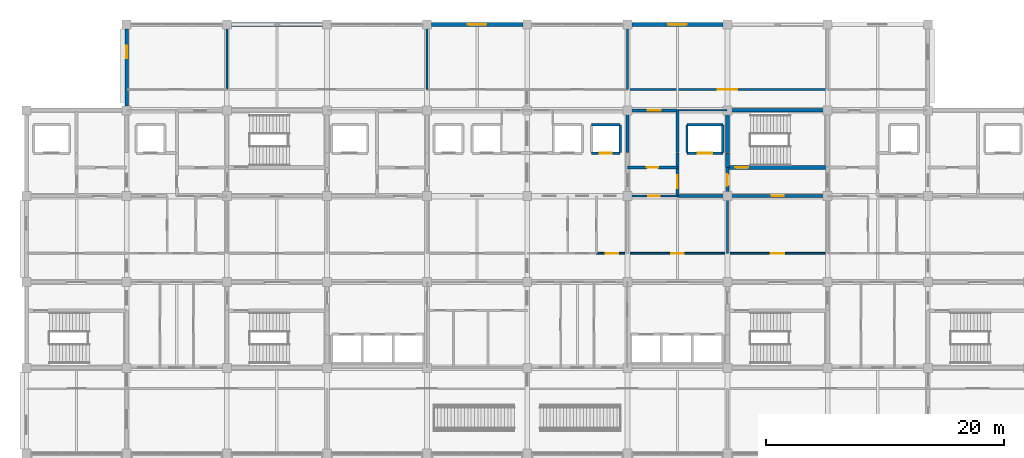
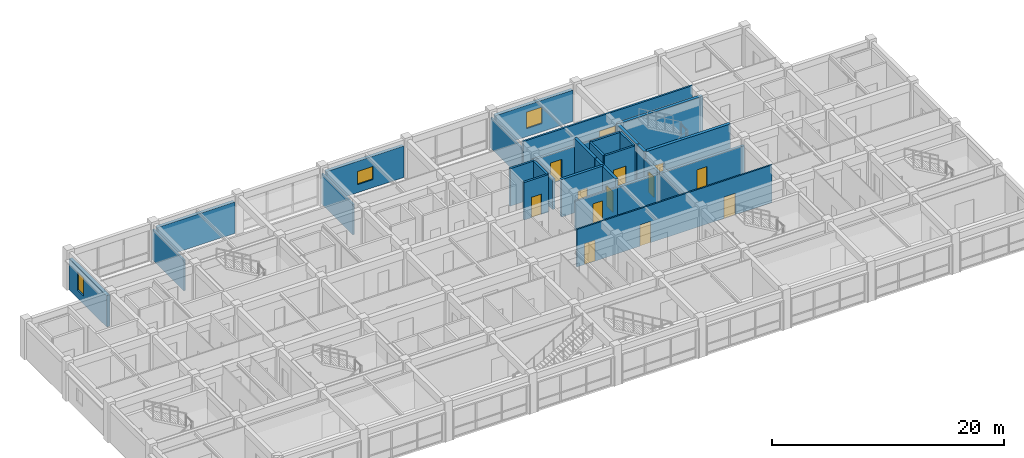
# One storey, part 20 of 27: 30 walls, 13 doors, 3 windows, 16 openings.
"""IFC4 building model written with IfcOpenShell, lengths in metres."""

from ifc_helpers import new_model, si_unit, direction, frame, frame_2d, origin, place, context, subcontext, project, spatial, rectangle, extrude, material, layer, layer_set, type_object, element, fill, save


model = new_model("IFC4")

# Units and contexts
model_context = context("Model", 3, precision=1e-05, world=origin(), true_north=direction((0.0, 1.0)))
body_context = subcontext(model_context, "Body", "Model", "MODEL_VIEW")
ifc_project = project(units=[si_unit("LENGTHUNIT", "METRE"), si_unit("AREAUNIT", "SQUARE_METRE"), si_unit("VOLUMEUNIT", "CUBIC_METRE"), si_unit("PLANEANGLEUNIT", "RADIAN"), si_unit("MASSUNIT", "GRAM", prefix="KILO")], contexts=[model_context])

# Site, building, storey
site_placement = place(None, origin())
site = spatial("IfcSite", under=ifc_project, at=site_placement, CompositionType="ELEMENT")
building_placement = place(site_placement, origin())
building = spatial("IfcBuilding", under=site, at=building_placement, Name="Chengyuan Square Courthouse", CompositionType="ELEMENT")
storey_placement = place(building_placement, frame((0.0, 0.0, 39.300048828125)))
storey = spatial("IfcBuildingStorey", under=building, at=storey_placement, Name="L09", CompositionType="ELEMENT", Elevation=39.300048828125)

# Wall, opening, window
ifc_material_1 = material(Name="Concrete C40", Category="concrete")
ifc_layer_1 = layer(ifc_material_1, 0.320068359375)
ifc_layer_set_1 = layer_set([ifc_layer_1], Name="Concrete C40")
wall_type_1 = type_object("IfcWallType", Name="WL-EW3", PredefinedType="STANDARD", material=ifc_layer_set_1)
wall_1_placement = place(storey_placement, frame((50.39990234375, 108.3701171875, 0.0), z_axis=(0.0, 0.0, 1.0), x_axis=(0.0, 1.0, 0.0)))
wall_1 = element("IfcWall", 1, at=wall_1_placement, inside=storey, type_object=wall_type_1, Name="Exterior Wall WL-L09-E417", PredefinedType="STANDARD", context=body_context, shape_type="SweptSolid", body=[
    extrude(rectangle(XDim=6.4599609375, YDim=0.320068359375, at=frame_2d((3.22998046875, 0.0))), origin(), (0.0, 0.0, 1.0), 3.300048828125),
])
opening_1_placement = place(wall_1_placement, frame((4.0048828125, 0.0, 0.85009765625)))
opening_1 = element("IfcOpeningElement", 2, at=opening_1_placement, cuts=wall_1, Name="Opening WN-162", PredefinedType="OPENING", context=body_context, shape_type="SweptSolid", body=[
    extrude(rectangle(XDim=1.050048828125, YDim=1.919921875, at=frame_2d((0.52490234375, 0.9599609375))), frame((0.0, 0.172119140625, 0.0), z_axis=(0.0, -1.0, 0.0), x_axis=(1.0, 0.0, 0.0)), (0.0, 0.0, 1.0), 0.343994140625),
])
ifc_material_2 = material(Name="Thermally Broken Aluminium Triple Low-E Window", Category="aluminium")
window_type_1 = type_object("IfcWindowType", Name="WT-11", PartitioningType="SINGLE_PANEL", PredefinedType="WINDOW", material=ifc_material_2)
window_1_placement = place(opening_1_placement, origin())
window_1 = element("IfcWindow", 3, at=window_1_placement, inside=storey, type_object=window_type_1, Name="Facade Window WN-162", OverallHeight=1.919921875, OverallWidth=1.050048828125, PartitioningType="SINGLE_PANEL", PredefinedType="WINDOW", context=body_context, shape_type="SweptSolid", body=[
    extrude(rectangle(XDim=1.050048828125, YDim=1.919921875, at=frame_2d((0.52490234375, 0.9599609375))), frame((0.0, 0.030029296875, 0.0), z_axis=(0.0, -1.0, 0.0), x_axis=(1.0, 0.0, 0.0)), (0.0, 0.0, 1.0), 0.06005859375),
])
fill(opening_1, window_1)

# Wall
wall_2_placement = place(storey_placement, frame((59.169921875, 115.199951171875, 0.0), z_axis=(0.0, 0.0, 1.0), x_axis=(1.0, 0.0, 0.0)))
element("IfcWall", 4, at=wall_2_placement, inside=storey, type_object=wall_type_1, Name="Exterior Wall WL-L09-E418", PredefinedType="STANDARD", context=body_context, shape_type="SweptSolid", body=[
    extrude(rectangle(XDim=7.66015625, YDim=0.320068359375, at=frame_2d((3.830078125, 0.0))), origin(), (0.0, 0.0, 1.0), 3.300048828125),
])

# Wall, opening, window
wall_3_placement = place(storey_placement, frame((75.969970703125, 115.199951171875, 0.0), z_axis=(0.0, 0.0, 1.0), x_axis=(1.0, 0.0, 0.0)))
wall_3 = element("IfcWall", 5, at=wall_3_placement, inside=storey, type_object=wall_type_1, Name="Exterior Wall WL-L09-E419", PredefinedType="STANDARD", context=body_context, shape_type="SweptSolid", body=[
    extrude(rectangle(XDim=7.659912109375, YDim=0.320068359375, at=frame_2d((3.830078125, 0.0))), origin(), (0.0, 0.0, 1.0), 3.300048828125),
])
opening_2_placement = place(wall_3_placement, frame((3.054931640625, 0.0, 0.85009765625)))
opening_2 = element("IfcOpeningElement", 6, at=opening_2_placement, cuts=wall_3, Name="Opening WN-163", PredefinedType="OPENING", context=body_context, shape_type="SweptSolid", body=[
    extrude(rectangle(XDim=1.550048828125, YDim=1.3798828125, at=frame_2d((0.77490234375, 0.68994140625))), frame((0.0, 0.172119140625, 0.0), z_axis=(0.0, -1.0, 0.0), x_axis=(1.0, 0.0, 0.0)), (0.0, 0.0, 1.0), 0.343994140625),
])
window_type_2 = type_object("IfcWindowType", Name="WT-26", PartitioningType="SINGLE_PANEL", PredefinedType="WINDOW", material=ifc_material_2)
window_2_placement = place(opening_2_placement, origin())
window_2 = element("IfcWindow", 7, at=window_2_placement, inside=storey, type_object=window_type_2, Name="Facade Window WN-163", OverallHeight=1.3798828125, OverallWidth=1.550048828125, PartitioningType="SINGLE_PANEL", PredefinedType="WINDOW", context=body_context, shape_type="SweptSolid", body=[
    extrude(rectangle(XDim=1.550048828125, YDim=1.3798828125, at=frame_2d((0.77490234375, 0.68994140625))), frame((0.0, 0.030029296875, 0.0), z_axis=(0.0, -1.0, 0.0), x_axis=(1.0, 0.0, 0.0)), (0.0, 0.0, 1.0), 0.06005859375),
])
fill(opening_2, window_2)

wall_4_placement = place(storey_placement, frame((92.77001953125, 115.199951171875, 0.0), z_axis=(0.0, 0.0, 1.0), x_axis=(1.0, 0.0, 0.0)))
wall_4 = element("IfcWall", 8, at=wall_4_placement, inside=storey, type_object=wall_type_1, Name="Exterior Wall WL-L09-E420", PredefinedType="STANDARD", context=body_context, shape_type="SweptSolid", body=[
    extrude(rectangle(XDim=7.659912109375, YDim=0.320068359375, at=frame_2d((3.830078125, 0.0))), origin(), (0.0, 0.0, 1.0), 3.300048828125),
])
opening_3_placement = place(wall_4_placement, frame((3.054931640625, 0.0, 0.85009765625)))
opening_3 = element("IfcOpeningElement", 9, at=opening_3_placement, cuts=wall_4, Name="Opening WN-164", PredefinedType="OPENING", context=body_context, shape_type="SweptSolid", body=[
    extrude(rectangle(XDim=1.550048828125, YDim=1.739990234375, at=frame_2d((0.77490234375, 0.8701171875))), frame((0.0, 0.172119140625, 0.0), z_axis=(0.0, -1.0, 0.0), x_axis=(1.0, 0.0, 0.0)), (0.0, 0.0, 1.0), 0.343994140625),
])
window_type_3 = type_object("IfcWindowType", Name="WT-28", PartitioningType="SINGLE_PANEL", PredefinedType="WINDOW", material=ifc_material_2)
window_3_placement = place(opening_3_placement, origin())
window_3 = element("IfcWindow", 10, at=window_3_placement, inside=storey, type_object=window_type_3, Name="Facade Window WN-164", OverallHeight=1.739990234375, OverallWidth=1.550048828125, PartitioningType="SINGLE_PANEL", PredefinedType="WINDOW", context=body_context, shape_type="SweptSolid", body=[
    extrude(rectangle(XDim=1.550048828125, YDim=1.739990234375, at=frame_2d((0.77490234375, 0.8701171875))), frame((0.0, 0.030029296875, 0.0), z_axis=(0.0, -1.0, 0.0), x_axis=(1.0, 0.0, 0.0)), (0.0, 0.0, 1.0), 0.06005859375),
])
fill(opening_3, window_3)

# Wall, opening, door
ifc_layer_2 = layer(ifc_material_1, 0.25)
ifc_layer_set_2 = layer_set([ifc_layer_2], Name="Concrete C40")
wall_type_2 = type_object("IfcWallType", Name="WL-FW1", PredefinedType="STANDARD", material=ifc_layer_set_2)
wall_5_placement = place(storey_placement, frame((96.60009765625, 100.800048828125, 0.0), z_axis=(0.0, 0.0, 1.0), x_axis=(1.0, 0.0, 0.0)))
wall_5 = element("IfcWall", 11, at=wall_5_placement, inside=storey, type_object=wall_type_2, Name="Interior Wall WL-L09-I3135", PredefinedType="STANDARD", context=body_context, shape_type="SweptSolid", body=[
    extrude(rectangle(XDim=12.599853515625, YDim=0.25, at=frame_2d((6.2998046875, 0.0))), origin(), (0.0, 0.0, 1.0), 3.099853515625),
])
opening_4_placement = place(wall_5_placement, frame((7.89990234375, 0.0, 0.0)))
opening_4 = element("IfcOpeningElement", 12, at=opening_4_placement, cuts=wall_5, Name="Opening DR-2644", PredefinedType="OPENING", context=body_context, shape_type="SweptSolid", body=[
    extrude(rectangle(XDim=1.0, YDim=2.199951171875, at=frame_2d((0.5, 1.10009765625))), frame((0.0, 0.136962890625, 0.0), z_axis=(0.0, -1.0, 0.0), x_axis=(1.0, 0.0, 0.0)), (0.0, 0.0, 1.0), 0.27392578125),
])
ifc_material_3 = material(Name="Steel Q235B Fire Door", Category="steel")
door_type_1 = type_object("IfcDoorType", Name="DT-11", OperationType="NOTDEFINED", PredefinedType="DOOR", material=ifc_material_3)
door_1_placement = place(opening_4_placement, origin())
door_1 = element("IfcDoor", 13, at=door_1_placement, inside=storey, type_object=door_type_1, Name="Interior Door DR-2644", OperationType="SINGLE_SWING_LEFT", OverallHeight=2.199951171875, OverallWidth=1.0, PredefinedType="DOOR", context=body_context, shape_type="SweptSolid", body=[
    extrude(rectangle(XDim=1.0, YDim=2.199951171875, at=frame_2d((0.5, 1.10009765625))), frame((0.0, 0.02490234375, 0.0), z_axis=(0.0, -1.0, 0.0), x_axis=(1.0, 0.0, 0.0)), (0.0, 0.0, 1.0), 0.050048828125),
])
fill(opening_4, door_1)

wall_6_placement = place(storey_placement, frame((92.39990234375, 103.199951171875, 0.0), z_axis=(0.0, 0.0, 1.0), x_axis=(1.0, 0.0, 0.0)))
wall_6 = element("IfcWall", 14, at=wall_6_placement, inside=storey, type_object=wall_type_2, Name="Interior Wall WL-L09-I3144", PredefinedType="STANDARD", context=body_context, shape_type="SweptSolid", body=[
    extrude(rectangle(XDim=4.2001953125, YDim=0.25, at=frame_2d((2.10009765625, 0.0))), origin(), (0.0, 0.0, 1.0), 3.949951171875),
])
opening_5_placement = place(wall_6_placement, frame((1.625, 0.0, 0.0)))
opening_5 = element("IfcOpeningElement", 15, at=opening_5_placement, cuts=wall_6, Name="Opening DR-2660", PredefinedType="OPENING", context=body_context, shape_type="SweptSolid", body=[
    extrude(rectangle(XDim=0.949951171875, YDim=2.14990234375, at=frame_2d((0.47509765625, 1.074951171875))), frame((0.0, 0.136962890625, 0.0), z_axis=(0.0, -1.0, 0.0), x_axis=(1.0, 0.0, 0.0)), (0.0, 0.0, 1.0), 0.27392578125),
])
door_type_2 = type_object("IfcDoorType", Name="DT-12", OperationType="NOTDEFINED", PredefinedType="DOOR", material=ifc_material_3)
door_2_placement = place(opening_5_placement, origin())
door_2 = element("IfcDoor", 16, at=door_2_placement, inside=storey, type_object=door_type_2, Name="Interior Door DR-2660", OperationType="SINGLE_SWING_LEFT", OverallHeight=2.14990234375, OverallWidth=0.949951171875, PredefinedType="DOOR", context=body_context, shape_type="SweptSolid", body=[
    extrude(rectangle(XDim=0.949951171875, YDim=2.14990234375, at=frame_2d((0.47509765625, 1.074951171875))), frame((0.0, 0.02490234375, 0.0), z_axis=(0.0, -1.0, 0.0), x_axis=(1.0, 0.0, 0.0)), (0.0, 0.0, 1.0), 0.050048828125),
])
fill(opening_5, door_2)

wall_7_placement = place(storey_placement, frame((92.39990234375, 108.0, 0.0), z_axis=(0.0, 0.0, 1.0), x_axis=(1.0, 0.0, 0.0)))
wall_7 = element("IfcWall", 17, at=wall_7_placement, inside=storey, type_object=wall_type_2, Name="Interior Wall WL-L09-I3179", PredefinedType="STANDARD", context=body_context, shape_type="SweptSolid", body=[
    extrude(rectangle(XDim=4.2001953125, YDim=0.25, at=frame_2d((2.10009765625, 0.0))), origin(), (0.0, 0.0, 1.0), 3.099853515625),
])
opening_6_placement = place(wall_7_placement, frame((1.697509765625, 0.0, 0.0)))
opening_6 = element("IfcOpeningElement", 18, at=opening_6_placement, cuts=wall_7, Name="Opening DR-2664", PredefinedType="OPENING", context=body_context, shape_type="SweptSolid", body=[
    extrude(rectangle(XDim=1.10009765625, YDim=2.199951171875, at=frame_2d((0.550048828125, 1.10009765625))), frame((0.0, 0.136962890625, 0.0), z_axis=(0.0, -1.0, 0.0), x_axis=(1.0, 0.0, 0.0)), (0.0, 0.0, 1.0), 0.27392578125),
])
door_type_3 = type_object("IfcDoorType", Name="DT-10", OperationType="NOTDEFINED", PredefinedType="DOOR", material=ifc_material_3)
door_3_placement = place(opening_6_placement, origin())
door_3 = element("IfcDoor", 19, at=door_3_placement, inside=storey, type_object=door_type_3, Name="Interior Door DR-2664", OperationType="SINGLE_SWING_LEFT", OverallHeight=2.199951171875, OverallWidth=1.10009765625, PredefinedType="DOOR", context=body_context, shape_type="SweptSolid", body=[
    extrude(rectangle(XDim=1.10009765625, YDim=2.199951171875, at=frame_2d((0.550048828125, 1.10009765625))), frame((0.0, 0.02490234375, 0.0), z_axis=(0.0, -1.0, 0.0), x_axis=(1.0, 0.0, 0.0)), (0.0, 0.0, 1.0), 0.050048828125),
])
fill(opening_6, door_3)

# Wall
wall_8_placement = place(storey_placement, frame((92.39990234375, 104.449951171875, 0.0), z_axis=(0.0, 0.0, 1.0), x_axis=(0.0, 1.0, 0.0)))
element("IfcWall", 20, at=wall_8_placement, inside=storey, type_object=wall_type_2, Name="Interior Wall WL-L09-I3255", PredefinedType="STANDARD", context=body_context, shape_type="SweptSolid", body=[
    extrude(rectangle(XDim=3.5, YDim=0.25, at=frame_2d((1.75, 0.0))), origin(), (0.0, 0.0, 1.0), 3.199951171875),
])

# Wall, opening, door
wall_9_placement = place(storey_placement, frame((96.60009765625, 100.800048828125, 0.0), z_axis=(0.0, 0.0, 1.0), x_axis=(0.0, 1.0, 0.0)))
wall_9 = element("IfcWall", 21, at=wall_9_placement, inside=storey, type_object=wall_type_2, Name="Interior Wall WL-L09-I3259", PredefinedType="STANDARD", context=body_context, shape_type="SweptSolid", body=[
    extrude(rectangle(XDim=3.599853515625, YDim=0.25, at=frame_2d((1.7998046875, 0.0))), origin(), (0.0, 0.0, 1.0), 3.949951171875),
])
opening_7_placement = place(wall_9_placement, frame((0.64990234375, 0.0, 0.0)))
opening_7 = element("IfcOpeningElement", 22, at=opening_7_placement, cuts=wall_9, Name="Opening DR-2661", PredefinedType="OPENING", context=body_context, shape_type="SweptSolid", body=[
    extrude(rectangle(XDim=1.10009765625, YDim=2.199951171875, at=frame_2d((0.550048828125, 1.10009765625))), frame((0.0, 0.136962890625, 0.0), z_axis=(0.0, -1.0, 0.0), x_axis=(1.0, 0.0, 0.0)), (0.0, 0.0, 1.0), 0.27392578125),
])
door_4_placement = place(opening_7_placement, origin())
door_4 = element("IfcDoor", 23, at=door_4_placement, inside=storey, type_object=door_type_3, Name="Interior Door DR-2661", OperationType="SINGLE_SWING_RIGHT", OverallHeight=2.199951171875, OverallWidth=1.10009765625, PredefinedType="DOOR", context=body_context, shape_type="SweptSolid", body=[
    extrude(rectangle(XDim=1.10009765625, YDim=2.199951171875, at=frame_2d((0.550048828125, 1.10009765625))), frame((0.0, 0.02490234375, 0.0), z_axis=(0.0, -1.0, 0.0), x_axis=(1.0, 0.0, 0.0)), (0.0, 0.0, 1.0), 0.050048828125),
])
fill(opening_7, door_4)

# Wall
wall_10_placement = place(storey_placement, frame((96.60009765625, 104.449951171875, 0.0), z_axis=(0.0, 0.0, 1.0), x_axis=(0.0, 1.0, 0.0)))
element("IfcWall", 24, at=wall_10_placement, inside=storey, type_object=wall_type_2, Name="Interior Wall WL-L09-I3260", PredefinedType="STANDARD", context=body_context, shape_type="SweptSolid", body=[
    extrude(rectangle(XDim=3.5, YDim=0.25, at=frame_2d((1.75, 0.0))), origin(), (0.0, 0.0, 1.0), 3.949951171875),
])

# Wall, opening, door
wall_11_placement = place(storey_placement, frame((100.800048828125, 100.800048828125, 0.0), z_axis=(0.0, 0.0, 1.0), x_axis=(0.0, 1.0, 0.0)))
wall_11 = element("IfcWall", 25, at=wall_11_placement, inside=storey, type_object=wall_type_2, Name="Interior Wall WL-L09-I3270", PredefinedType="STANDARD", context=body_context, shape_type="SweptSolid", body=[
    extrude(rectangle(XDim=2.39990234375, YDim=0.25, at=frame_2d((1.199951171875, 0.0))), origin(), (0.0, 0.0, 1.0), 3.199951171875),
])
opening_8_placement = place(wall_11_placement, frame((0.87255859375, 0.0, 0.0)))
opening_8 = element("IfcOpeningElement", 26, at=opening_8_placement, cuts=wall_11, Name="Opening DR-2642", PredefinedType="OPENING", context=body_context, shape_type="SweptSolid", body=[
    extrude(rectangle(XDim=0.949951171875, YDim=2.14990234375, at=frame_2d((0.47509765625, 1.074951171875))), frame((0.0, 0.136962890625, 0.0), z_axis=(0.0, -1.0, 0.0), x_axis=(1.0, 0.0, 0.0)), (0.0, 0.0, 1.0), 0.27392578125),
])
door_5_placement = place(opening_8_placement, origin())
door_5 = element("IfcDoor", 27, at=door_5_placement, inside=storey, type_object=door_type_2, Name="Interior Door DR-2642", OperationType="SINGLE_SWING_LEFT", OverallHeight=2.14990234375, OverallWidth=0.949951171875, PredefinedType="DOOR", context=body_context, shape_type="SweptSolid", body=[
    extrude(rectangle(XDim=0.949951171875, YDim=2.14990234375, at=frame_2d((0.47509765625, 1.074951171875))), frame((0.0, 0.02490234375, 0.0), z_axis=(0.0, -1.0, 0.0), x_axis=(1.0, 0.0, 0.0)), (0.0, 0.0, 1.0), 0.050048828125),
])
fill(opening_8, door_5)

ifc_material_4 = material(Name="Double-Stud Acoustic Gypsum Courtroom Partition")
ifc_layer_3 = layer(ifc_material_4, 0.179931640625)
ifc_layer_set_3 = layer_set([ifc_layer_3], Name="Double-Stud Acoustic Gypsum Courtroom Partition")
wall_type_3 = type_object("IfcWallType", Name="WL-PT1", PredefinedType="STANDARD", material=ifc_layer_set_3)
wall_12_placement = place(storey_placement, frame((92.39990234375, 109.75, 0.0), z_axis=(0.0, 0.0, 1.0), x_axis=(1.0, 0.0, 0.0)))
wall_12 = element("IfcWall", 28, at=wall_12_placement, inside=storey, type_object=wall_type_3, Name="Interior Wall WL-L09-I3187", PredefinedType="STANDARD", context=body_context, shape_type="SweptSolid", body=[
    extrude(rectangle(XDim=16.800048828125, YDim=0.179931640625, at=frame_2d((8.39990234375, 0.0))), origin(), (0.0, 0.0, 1.0), 3.949951171875),
])
opening_9_placement = place(wall_12_placement, frame((7.574951171875, 0.0, 0.0)))
opening_9 = element("IfcOpeningElement", 29, at=opening_9_placement, cuts=wall_12, Name="Opening DR-2758", PredefinedType="OPENING", context=body_context, shape_type="SweptSolid", body=[
    extrude(rectangle(XDim=1.64990234375, YDim=2.39990234375, at=frame_2d((0.824951171875, 1.199951171875))), frame((0.0, 0.10205078125, 0.0), z_axis=(0.0, -1.0, 0.0), x_axis=(1.0, 0.0, 0.0)), (0.0, 0.0, 1.0), 0.203857421875),
])
ifc_material_5 = material(Name="Acoustic Larch Veneer Double Door")
door_type_4 = type_object("IfcDoorType", Name="DT-22", OperationType="DOUBLE_DOOR_SINGLE_SWING", PredefinedType="DOOR", material=ifc_material_5)
door_6_placement = place(opening_9_placement, frame((1.64990234375, 0.0, 0.0), z_axis=(0.0, 0.0, 1.0), x_axis=(-1.0, 0.0, 0.0)))
door_6 = element("IfcDoor", 30, at=door_6_placement, inside=storey, type_object=door_type_4, Name="Interior Door DR-2758", OperationType="DOUBLE_DOOR_SINGLE_SWING", OverallHeight=2.39990234375, OverallWidth=1.64990234375, PredefinedType="DOOR", context=body_context, shape_type="SweptSolid", body=[
    extrude(rectangle(XDim=1.64990234375, YDim=2.39990234375, at=frame_2d((0.824951171875, 1.199951171875))), frame((0.0, 0.02490234375, 0.0), z_axis=(0.0, -1.0, 0.0), x_axis=(1.0, 0.0, 0.0)), (0.0, 0.0, 1.0), 0.050048828125),
])
fill(opening_9, door_6)

# Walls
for number, where, z_axis, x_axis, name in (
    (31, (58.800048828125, 109.75, 0.0), (0.0, 0.0, 1.0), (0.0, 1.0, 0.0), "Interior Wall WL-L09-I3210"),
    (32, (75.60009765625, 109.75, 0.0), (0.0, 0.0, 1.0), (0.0, 1.0, 0.0), "Interior Wall WL-L09-I3233"),
    (33, (92.39990234375, 109.75, 0.0), (0.0, 0.0, 1.0), (0.0, 1.0, 0.0), "Interior Wall WL-L09-I3256"),
):
    element("IfcWall", number, at=place(storey_placement, frame(where, z_axis=z_axis, x_axis=x_axis)), inside=storey, type_object=wall_type_3, Name=name, PredefinedType="STANDARD", context=body_context, shape_type="SweptSolid", body=[
        extrude(rectangle(XDim=5.409912109375, YDim=0.179931640625, at=frame_2d((2.705078125, 0.0))), origin(), (0.0, 0.0, 1.0), 3.199951171875),
    ])

# Wall, openings, doors
ifc_material_6 = material(Name="Deliberation Room Sound-Insulated Partition")
ifc_layer_4 = layer(ifc_material_6, 0.14990234375)
ifc_layer_set_4 = layer_set([ifc_layer_4], Name="Deliberation Room Sound-Insulated Partition")
wall_type_4 = type_object("IfcWallType", Name="WL-PT3", PredefinedType="STANDARD", material=ifc_layer_set_4)
wall_13_placement = place(storey_placement, frame((89.800048828125, 96.0, 0.0), z_axis=(0.0, 0.0, 1.0), x_axis=(1.0, 0.0, 0.0)))
wall_13 = element("IfcWall", 34, at=wall_13_placement, inside=storey, type_object=wall_type_4, Name="Interior Wall WL-L09-I3123", PredefinedType="STANDARD", context=body_context, shape_type="SweptSolid", body=[
    extrude(rectangle(XDim=19.39990234375, YDim=0.14990234375, at=frame_2d((9.699951171875, 0.0))), origin(), (0.0, 0.0, 1.0), 3.949951171875),
])
opening_10_placement = place(wall_13_placement, frame((0.780029296875, 0.0, 0.0)))
opening_10 = element("IfcOpeningElement", 35, at=opening_10_placement, cuts=wall_13, Name="Opening DR-2716", PredefinedType="OPENING", context=body_context, shape_type="SweptSolid", body=[
    extrude(rectangle(XDim=1.0400390625, YDim=2.199951171875, at=frame_2d((0.52001953125, 1.10009765625))), frame((0.0, 0.0869140625, 0.0), z_axis=(0.0, -1.0, 0.0), x_axis=(1.0, 0.0, 0.0)), (0.0, 0.0, 1.0), 0.173828125),
])
opening_11_placement = place(wall_13_placement, frame((6.260009765625, 0.0, 0.0)))
opening_11 = element("IfcOpeningElement", 36, at=opening_11_placement, cuts=wall_13, Name="Opening DR-2717", PredefinedType="OPENING", context=body_context, shape_type="SweptSolid", body=[
    extrude(rectangle(XDim=1.080078125, YDim=2.25, at=frame_2d((0.5400390625, 1.125))), frame((0.0, 0.0869140625, 0.0), z_axis=(0.0, -1.0, 0.0), x_axis=(1.0, 0.0, 0.0)), (0.0, 0.0, 1.0), 0.173828125),
])
opening_12_placement = place(wall_13_placement, frame((14.639892578125, 0.0, 0.0)))
opening_12 = element("IfcOpeningElement", 37, at=opening_12_placement, cuts=wall_13, Name="Opening DR-2718", PredefinedType="OPENING", context=body_context, shape_type="SweptSolid", body=[
    extrude(rectangle(XDim=1.1201171875, YDim=2.25, at=frame_2d((0.56005859375, 1.125))), frame((0.0, 0.0869140625, 0.0), z_axis=(0.0, -1.0, 0.0), x_axis=(1.0, 0.0, 0.0)), (0.0, 0.0, 1.0), 0.173828125),
])
ifc_material_7 = material(Name="Acoustic Solid-Core Timber Door", Category="wood")
door_type_5 = type_object("IfcDoorType", Name="DT-32", OperationType="NOTDEFINED", PredefinedType="DOOR", material=ifc_material_7)
door_7_placement = place(opening_10_placement, origin())
door_7 = element("IfcDoor", 38, at=door_7_placement, inside=storey, type_object=door_type_5, Name="Interior Door DR-2716", OperationType="SINGLE_SWING_LEFT", OverallHeight=2.199951171875, OverallWidth=1.0400390625, PredefinedType="DOOR", context=body_context, shape_type="SweptSolid", body=[
    extrude(rectangle(XDim=1.0400390625, YDim=2.199951171875, at=frame_2d((0.52001953125, 1.10009765625))), frame((0.0, 0.02490234375, 0.0), z_axis=(0.0, -1.0, 0.0), x_axis=(1.0, 0.0, 0.0)), (0.0, 0.0, 1.0), 0.050048828125),
])
fill(opening_10, door_7)
door_type_6 = type_object("IfcDoorType", Name="DT-33", OperationType="NOTDEFINED", PredefinedType="DOOR", material=ifc_material_7)
door_8_placement = place(opening_11_placement, origin())
door_8 = element("IfcDoor", 39, at=door_8_placement, inside=storey, type_object=door_type_6, Name="Interior Door DR-2717", OperationType="SINGLE_SWING_RIGHT", OverallHeight=2.25, OverallWidth=1.080078125, PredefinedType="DOOR", context=body_context, shape_type="SweptSolid", body=[
    extrude(rectangle(XDim=1.080078125, YDim=2.25, at=frame_2d((0.5400390625, 1.125))), frame((0.0, 0.02490234375, 0.0), z_axis=(0.0, -1.0, 0.0), x_axis=(1.0, 0.0, 0.0)), (0.0, 0.0, 1.0), 0.050048828125),
])
fill(opening_11, door_8)
door_type_7 = type_object("IfcDoorType", Name="DT-34", OperationType="NOTDEFINED", PredefinedType="DOOR", material=ifc_material_7)
door_9_placement = place(opening_12_placement, origin())
door_9 = element("IfcDoor", 40, at=door_9_placement, inside=storey, type_object=door_type_7, Name="Interior Door DR-2718", OperationType="SINGLE_SWING_LEFT", OverallHeight=2.25, OverallWidth=1.1201171875, PredefinedType="DOOR", context=body_context, shape_type="SweptSolid", body=[
    extrude(rectangle(XDim=1.1201171875, YDim=2.25, at=frame_2d((0.56005859375, 1.125))), frame((0.0, 0.02490234375, 0.0), z_axis=(0.0, -1.0, 0.0), x_axis=(1.0, 0.0, 0.0)), (0.0, 0.0, 1.0), 0.050048828125),
])
fill(opening_12, door_9)

# Wall, opening, door
wall_14_placement = place(storey_placement, frame((92.39990234375, 100.800048828125, 0.0), z_axis=(0.0, 0.0, 1.0), x_axis=(1.0, 0.0, 0.0)))
wall_14 = element("IfcWall", 41, at=wall_14_placement, inside=storey, type_object=wall_type_4, Name="Interior Wall WL-L09-I3134", PredefinedType="STANDARD", context=body_context, shape_type="SweptSolid", body=[
    extrude(rectangle(XDim=4.2001953125, YDim=0.14990234375, at=frame_2d((2.10009765625, 0.0))), origin(), (0.0, 0.0, 1.0), 3.099853515625),
])
opening_13_placement = place(wall_14_placement, frame((1.767578125, 0.0, 0.0)))
opening_13 = element("IfcOpeningElement", 42, at=opening_13_placement, cuts=wall_14, Name="Opening DR-2663", PredefinedType="OPENING", context=body_context, shape_type="SweptSolid", body=[
    extrude(rectangle(XDim=0.9599609375, YDim=2.199951171875, at=frame_2d((0.47998046875, 1.10009765625))), frame((0.0, 0.0869140625, 0.0), z_axis=(0.0, -1.0, 0.0), x_axis=(1.0, 0.0, 0.0)), (0.0, 0.0, 1.0), 0.173828125),
])
door_type_8 = type_object("IfcDoorType", Name="DT-30", OperationType="NOTDEFINED", PredefinedType="DOOR", material=ifc_material_7)
door_10_placement = place(opening_13_placement, origin())
door_10 = element("IfcDoor", 43, at=door_10_placement, inside=storey, type_object=door_type_8, Name="Interior Door DR-2663", OperationType="SINGLE_SWING_RIGHT", OverallHeight=2.199951171875, OverallWidth=0.9599609375, PredefinedType="DOOR", context=body_context, shape_type="SweptSolid", body=[
    extrude(rectangle(XDim=0.9599609375, YDim=2.199951171875, at=frame_2d((0.47998046875, 1.10009765625))), frame((0.0, 0.02490234375, 0.0), z_axis=(0.0, -1.0, 0.0), x_axis=(1.0, 0.0, 0.0)), (0.0, 0.0, 1.0), 0.050048828125),
])
fill(opening_13, door_10)

# Walls
wall_15_placement = place(storey_placement, frame((100.800048828125, 96.0, 0.0), z_axis=(0.0, 0.0, 1.0), x_axis=(0.0, 1.0, 0.0)))
element("IfcWall", 44, at=wall_15_placement, inside=storey, type_object=wall_type_4, Name="Interior Wall WL-L09-I3269", PredefinedType="STANDARD", context=body_context, shape_type="SweptSolid", body=[
    extrude(rectangle(XDim=4.800048828125, YDim=0.14990234375, at=frame_2d((2.39990234375, 0.0))), origin(), (0.0, 0.0, 1.0), 3.199951171875),
])
ifc_material_8 = material(Name="Gypsum Plasterboard Acoustic Stud Partition")
ifc_layer_5 = layer(ifc_material_8, 0.10009765625)
ifc_layer_set_5 = layer_set([ifc_layer_5], Name="Gypsum Plasterboard Acoustic Stud Partition")
wall_type_5 = type_object("IfcWallType", Name="WL-PT6", PredefinedType="STANDARD", material=ifc_layer_set_5)
wall_16_placement = place(storey_placement, frame((96.64990234375, 108.0, 0.0), z_axis=(0.0, 0.0, 1.0), x_axis=(1.0, 0.0, 0.0)))
element("IfcWall", 45, at=wall_16_placement, inside=storey, type_object=wall_type_5, Name="Interior Wall WL-L09-I3180", PredefinedType="STANDARD", context=body_context, shape_type="SweptSolid", body=[
    extrude(rectangle(XDim=4.10009765625, YDim=0.10009765625, at=frame_2d((2.050048828125, 0.0))), origin(), (0.0, 0.0, 1.0), 3.099853515625),
])

# Wall, opening, door
ifc_material_9 = material(Name="Reinforced Masonry Shaft Enclosure", Category="masonry")
ifc_layer_6 = layer(ifc_material_9, 0.199951171875)
ifc_layer_set_6 = layer_set([ifc_layer_6], Name="Reinforced Masonry Shaft Enclosure")
wall_type_6 = type_object("IfcWallType", Name="WL-SH1", PredefinedType="STANDARD", material=ifc_layer_set_6)
wall_17_placement = place(storey_placement, frame((89.39990234375, 104.39990234375, 0.0), z_axis=(0.0, 0.0, 1.0), x_axis=(1.0, 0.0, 0.0)))
wall_17 = element("IfcWall", 46, at=wall_17_placement, inside=storey, type_object=wall_type_6, Name="Interior Wall WL-L09-I3156", PredefinedType="STANDARD", context=body_context, shape_type="SweptSolid", body=[
    extrude(rectangle(XDim=2.400146484375, YDim=0.199951171875, at=frame_2d((1.2001953125, 0.0))), origin(), (0.0, 0.0, 1.0), 3.949951171875),
])
opening_14_placement = place(wall_17_placement, frame((0.699951171875, 0.0, 0.0)))
opening_14 = element("IfcOpeningElement", 47, at=opening_14_placement, cuts=wall_17, Name="Opening LD-156", PredefinedType="OPENING", context=body_context, shape_type="SweptSolid", body=[
    extrude(rectangle(XDim=1.0, YDim=2.14990234375, at=frame_2d((0.5, 1.074951171875))), frame((0.0, 0.112060546875, 0.0), z_axis=(0.0, -1.0, 0.0), x_axis=(1.0, 0.0, 0.0)), (0.0, 0.0, 1.0), 0.223876953125),
])
ifc_material_10 = material(Name="Stainless Steel S30408 Lift Landing Door", Category="steel")
door_type_9 = type_object("IfcDoorType", Name="DT-07", OperationType="DOUBLE_DOOR_SLIDING", PredefinedType="DOOR", material=ifc_material_10)
door_11_placement = place(opening_14_placement, origin())
door_11 = element("IfcDoor", 48, at=door_11_placement, inside=storey, type_object=door_type_9, Name="Lift Landing Door LF-J4 L09", OperationType="DOUBLE_DOOR_SLIDING", OverallHeight=2.14990234375, OverallWidth=1.0, PredefinedType="DOOR", context=body_context, shape_type="SweptSolid", body=[
    extrude(rectangle(XDim=1.0, YDim=2.14990234375, at=frame_2d((0.5, 1.074951171875))), frame((0.0, 0.02490234375, 0.0), z_axis=(0.0, -1.0, 0.0), x_axis=(1.0, 0.0, 0.0)), (0.0, 0.0, 1.0), 0.050048828125),
])
fill(opening_14, door_11)

wall_18_placement = place(storey_placement, frame((97.39990234375, 104.39990234375, 0.0), z_axis=(0.0, 0.0, 1.0), x_axis=(1.0, 0.0, 0.0)))
wall_18 = element("IfcWall", 49, at=wall_18_placement, inside=storey, type_object=wall_type_6, Name="Interior Wall WL-L09-I3157", PredefinedType="STANDARD", context=body_context, shape_type="SweptSolid", body=[
    extrude(rectangle(XDim=3.0, YDim=0.199951171875, at=frame_2d((1.5, 0.0))), origin(), (0.0, 0.0, 1.0), 3.949951171875),
])
opening_15_placement = place(wall_18_placement, frame((0.89990234375, 0.0, 0.0)))
opening_15 = element("IfcOpeningElement", 50, at=opening_15_placement, cuts=wall_18, Name="Opening LD-150", PredefinedType="OPENING", context=body_context, shape_type="SweptSolid", body=[
    extrude(rectangle(XDim=1.199951171875, YDim=2.14990234375, at=frame_2d((0.60009765625, 1.074951171875))), frame((0.0, 0.112060546875, 0.0), z_axis=(0.0, -1.0, 0.0), x_axis=(1.0, 0.0, 0.0)), (0.0, 0.0, 1.0), 0.223876953125),
])
door_type_10 = type_object("IfcDoorType", Name="DT-05", OperationType="DOUBLE_DOOR_SLIDING", PredefinedType="DOOR", material=ifc_material_10)
door_12_placement = place(opening_15_placement, origin())
door_12 = element("IfcDoor", 51, at=door_12_placement, inside=storey, type_object=door_type_10, Name="Lift Landing Door LF-F2 L09", OperationType="DOUBLE_DOOR_SLIDING", OverallHeight=2.14990234375, OverallWidth=1.199951171875, PredefinedType="DOOR", context=body_context, shape_type="SweptSolid", body=[
    extrude(rectangle(XDim=1.199951171875, YDim=2.14990234375, at=frame_2d((0.60009765625, 1.074951171875))), frame((0.0, 0.02490234375, 0.0), z_axis=(0.0, -1.0, 0.0), x_axis=(1.0, 0.0, 0.0)), (0.0, 0.0, 1.0), 0.050048828125),
])
fill(opening_15, door_12)

# Walls
wall_19_placement = place(storey_placement, frame((89.39990234375, 106.800048828125, 0.0), z_axis=(0.0, 0.0, 1.0), x_axis=(1.0, 0.0, 0.0)))
element("IfcWall", 52, at=wall_19_placement, inside=storey, type_object=wall_type_6, Name="Interior Wall WL-L09-I3167", PredefinedType="STANDARD", context=body_context, shape_type="SweptSolid", body=[
    extrude(rectangle(XDim=2.400146484375, YDim=0.199951171875, at=frame_2d((1.2001953125, 0.0))), origin(), (0.0, 0.0, 1.0), 3.949951171875),
])
wall_20_placement = place(storey_placement, frame((97.39990234375, 106.800048828125, 0.0), z_axis=(0.0, 0.0, 1.0), x_axis=(1.0, 0.0, 0.0)))
element("IfcWall", 53, at=wall_20_placement, inside=storey, type_object=wall_type_6, Name="Interior Wall WL-L09-I3168", PredefinedType="STANDARD", context=body_context, shape_type="SweptSolid", body=[
    extrude(rectangle(XDim=3.0, YDim=0.199951171875, at=frame_2d((1.5, 0.0))), origin(), (0.0, 0.0, 1.0), 3.949951171875),
])
for number, where, z_axis, x_axis, name in (
    (54, (91.800048828125, 104.449951171875, 0.0), (0.0, 0.0, 1.0), (0.0, 1.0, 0.0), "Interior Wall WL-L09-I3250"),
    (55, (97.39990234375, 104.449951171875, 0.0), (0.0, 0.0, 1.0), (0.0, 1.0, 0.0), "Interior Wall WL-L09-I3261"),
    (56, (100.39990234375, 104.449951171875, 0.0), (0.0, 0.0, 1.0), (0.0, 1.0, 0.0), "Interior Wall WL-L09-I3264"),
):
    element("IfcWall", number, at=place(storey_placement, frame(where, z_axis=z_axis, x_axis=x_axis)), inside=storey, type_object=wall_type_6, Name=name, PredefinedType="STANDARD", context=body_context, shape_type="SweptSolid", body=[
        extrude(rectangle(XDim=2.300048828125, YDim=0.199951171875, at=frame_2d((1.14990234375, 0.0))), origin(), (0.0, 0.0, 1.0), 3.949951171875),
    ])

# Wall, opening, door
ifc_layer_7 = layer(ifc_material_1, 0.300048828125)
ifc_layer_set_7 = layer_set([ifc_layer_7], Name="Concrete C40")
wall_type_7 = type_object("IfcWallType", Name="WL-SW2", PredefinedType="SHEAR", material=ifc_layer_set_7)
wall_21_placement = place(storey_placement, frame((100.800048828125, 103.199951171875, 0.0), z_axis=(0.0, 0.0, 1.0), x_axis=(1.0, 0.0, 0.0)))
wall_21 = element("IfcWall", 57, at=wall_21_placement, inside=storey, type_object=wall_type_7, Name="Interior Wall WL-L09-I3145", PredefinedType="SHEAR", context=body_context, shape_type="SweptSolid", body=[
    extrude(rectangle(XDim=8.39990234375, YDim=0.300048828125, at=frame_2d((4.199951171875, 0.0))), origin(), (0.0, 0.0, 1.0), 3.949951171875),
])
opening_16_placement = place(wall_21_placement, frame((0.64990234375, 0.0, 0.0)))
opening_16 = element("IfcOpeningElement", 58, at=opening_16_placement, cuts=wall_21, Name="Opening DR-2634", PredefinedType="OPENING", context=body_context, shape_type="SweptSolid", body=[
    extrude(rectangle(XDim=1.10009765625, YDim=2.199951171875, at=frame_2d((0.550048828125, 1.10009765625))), frame((0.0, 0.162109375, 0.0), z_axis=(0.0, -1.0, 0.0), x_axis=(1.0, 0.0, 0.0)), (0.0, 0.0, 1.0), 0.323974609375),
])
door_13_placement = place(opening_16_placement, origin())
door_13 = element("IfcDoor", 59, at=door_13_placement, inside=storey, type_object=door_type_3, Name="Smoke-Proof Stairwell Fire Door ST-2 DR-2634", OperationType="SINGLE_SWING_LEFT", OverallHeight=2.199951171875, OverallWidth=1.10009765625, PredefinedType="DOOR", context=body_context, shape_type="SweptSolid", body=[
    extrude(rectangle(XDim=1.10009765625, YDim=2.199951171875, at=frame_2d((0.550048828125, 1.10009765625))), frame((0.0, 0.02490234375, 0.0), z_axis=(0.0, -1.0, 0.0), x_axis=(1.0, 0.0, 0.0)), (0.0, 0.0, 1.0), 0.050048828125),
])
fill(opening_16, door_13)

# Walls
wall_22_placement = place(storey_placement, frame((100.800048828125, 108.0, 0.0), z_axis=(0.0, 0.0, 1.0), x_axis=(1.0, 0.0, 0.0)))
element("IfcWall", 60, at=wall_22_placement, inside=storey, type_object=wall_type_7, Name="Interior Wall WL-L09-I3181", PredefinedType="SHEAR", context=body_context, shape_type="SweptSolid", body=[
    extrude(rectangle(XDim=8.39990234375, YDim=0.300048828125, at=frame_2d((4.199951171875, 0.0))), origin(), (0.0, 0.0, 1.0), 3.949951171875),
])
wall_23_placement = place(storey_placement, frame((100.800048828125, 103.199951171875, 0.0), z_axis=(0.0, 0.0, 1.0), x_axis=(0.0, 1.0, 0.0)))
element("IfcWall", 61, at=wall_23_placement, inside=storey, type_object=wall_type_7, Name="Interior Wall WL-L09-I3271", PredefinedType="SHEAR", context=body_context, shape_type="SweptSolid", body=[
    extrude(rectangle(XDim=1.199951171875, YDim=0.300048828125, at=frame_2d((0.60009765625, 0.0))), origin(), (0.0, 0.0, 1.0), 3.949951171875),
])
wall_24_placement = place(storey_placement, frame((100.800048828125, 104.449951171875, 0.0), z_axis=(0.0, 0.0, 1.0), x_axis=(0.0, 1.0, 0.0)))
element("IfcWall", 62, at=wall_24_placement, inside=storey, type_object=wall_type_7, Name="Interior Wall WL-L09-I3272", PredefinedType="SHEAR", context=body_context, shape_type="SweptSolid", body=[
    extrude(rectangle(XDim=3.5, YDim=0.300048828125, at=frame_2d((1.75, 0.0))), origin(), (0.0, 0.0, 1.0), 3.949951171875),
])

save(model, "model.ifc")
